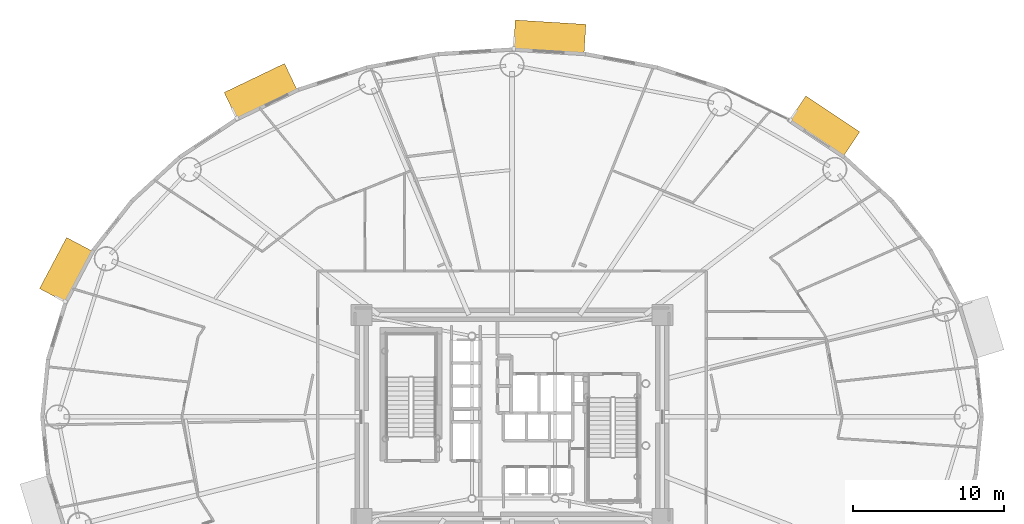
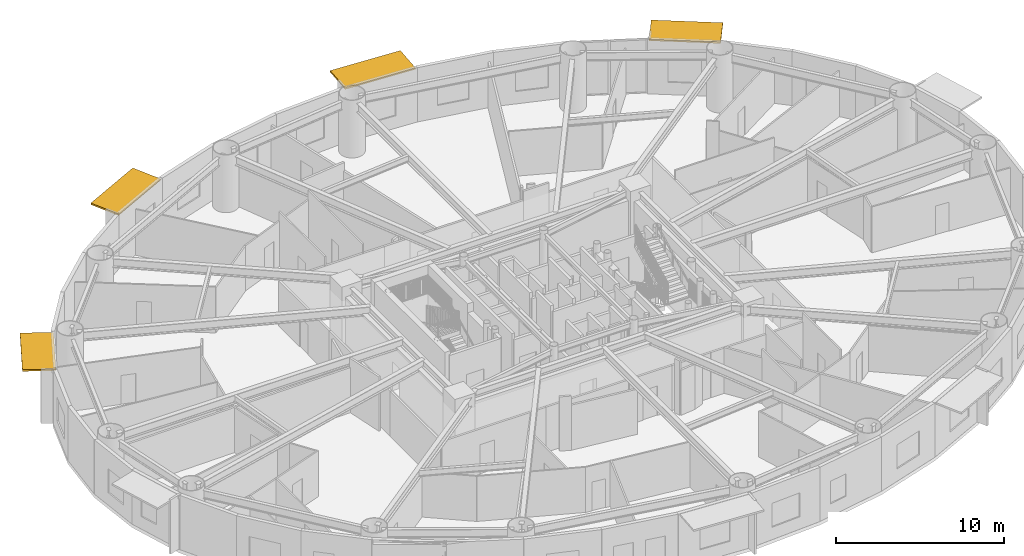
# One storey, part 21 of 21: 4 shading devices.
"""IFC4 building model written with IfcOpenShell, lengths in metres."""

import ifcopenshell
import ifcopenshell.guid

model = None  # the IFC model being written
_history = None  # IfcOwnerHistory: only IFC2X3 demands one
_inside = {}  # id of a spatial element -> (the spatial element, [elements in it])
_under = {}  # id of a project, library or spatial element -> (it, [spatial elements below it])
_declared = {}  # id of a project -> (the project, [libraries it declares])
_typed = {}  # id of a type object -> (the type object, [elements of that type])
_made_of = {}  # id of a material, layer set ... -> (it, [elements and type objects made of it])


def new_model(schema):
    """Start an empty IFC model of exactly this schema.

    Asked for "IFC4X3", IfcOpenShell would pick the latest addendum, in which some entities
    have other attributes; the version numbers below select the first issue.
    IFC2X3 requires an IfcOwnerHistory on every rooted entity: one is made here for all.
    """
    global model, _history
    if schema == "IFC4X3":
        model = ifcopenshell.file(schema_version=(4, 3, 0, 0))
    else:
        model = ifcopenshell.file(schema=schema)
    _inside.clear()
    _under.clear()
    _declared.clear()
    _typed.clear()
    _made_of.clear()
    _history = None
    if model.schema == "IFC2X3":
        org = make("IfcOrganization", Name="unknown")
        user = make(
            "IfcPersonAndOrganization",
            ThePerson=make("IfcPerson", FamilyName="unknown"),
            TheOrganization=org,
        )
        app = make(
            "IfcApplication",
            ApplicationDeveloper=org,
            Version="unknown",
            ApplicationFullName="unknown",
            ApplicationIdentifier="unknown",
        )
        _history = make(
            "IfcOwnerHistory",
            OwningUser=user,
            OwningApplication=app,
            ChangeAction="ADDED",
            CreationDate=0,
        )
    return model


def make(cls, **values):
    """One entity of the class cls with the attributes given. An attribute that is None is left unset."""
    return model.create_entity(
        cls, **{name: value for name, value in values.items() if value is not None}
    )


def rooted(cls, **values):
    """An entity with a GlobalId (a new one), such as an element, a storey or a relation."""
    return make(cls, GlobalId=ifcopenshell.guid.new(), OwnerHistory=_history, **values)


def si_unit(unit_type, name, prefix=None):
    """IfcSIUnit, for example si_unit("LENGTHUNIT", "METRE", prefix="MILLI")."""
    return make("IfcSIUnit", UnitType=unit_type, Prefix=prefix, Name=name)


def assignment(units):
    """IfcUnitAssignment: the units of a project."""
    return None if units is None else make("IfcUnitAssignment", Units=units)


def point(xyz):
    """IfcCartesianPoint."""
    return None if xyz is None else make("IfcCartesianPoint", Coordinates=xyz)


def direction(xyz):
    """IfcDirection."""
    return None if xyz is None else make("IfcDirection", DirectionRatios=xyz)


def frame(location, z_axis=None, x_axis=None):
    """IfcAxis2Placement3D, a coordinate frame: its origin and axes. An axis left out is left unset."""
    return make(
        "IfcAxis2Placement3D",
        Location=point(location),
        Axis=direction(z_axis),
        RefDirection=direction(x_axis),
    )


def frame_2d(location, x_axis=None):
    """IfcAxis2Placement2D, a coordinate frame in the plane: its origin and x axis."""
    return make(
        "IfcAxis2Placement2D", Location=point(location), RefDirection=direction(x_axis)
    )


def origin():
    """The frame at (0, 0, 0) with its axes left unset."""
    return frame((0.0, 0.0, 0.0))


def origin_2d():
    """The frame at (0, 0) in the plane with its x axis left unset."""
    return frame_2d((0.0, 0.0))


def place(relative_to, where):
    """IfcLocalPlacement: puts the frame where relative to a parent placement (None: the world)."""
    return make(
        "IfcLocalPlacement", PlacementRelTo=relative_to, RelativePlacement=where
    )


def context(
    kind, dimensions, precision=None, world=None, true_north=None, identifier=None
):
    """IfcGeometricRepresentationContext, for example the 3D "Model" context."""
    return make(
        "IfcGeometricRepresentationContext",
        ContextIdentifier=identifier,
        ContextType=kind,
        CoordinateSpaceDimension=dimensions,
        Precision=precision,
        WorldCoordinateSystem=world,
        TrueNorth=true_north,
    )


def subcontext(parent, identifier, kind, view, scale=None):
    """IfcGeometricRepresentationSubContext, for example "Body" below "Model"."""
    return make(
        "IfcGeometricRepresentationSubContext",
        ContextIdentifier=identifier,
        ContextType=kind,
        ParentContext=parent,
        TargetScale=scale,
        TargetView=view,
    )


def project(units=None, contexts=None):
    """IfcProject with its units and contexts."""
    return rooted(
        "IfcProject",
        Name="project",
        RepresentationContexts=contexts,
        UnitsInContext=assignment(units),
    )


def spatial(cls, under=None, at=None, **own):
    """A site, building, storey or space (cls), placed at a placement, below another one or the project."""
    s = rooted(cls, ObjectPlacement=at, **own)
    if under is not None:
        _under.setdefault(under.id(), (under, []))[1].append(s)
    return s


def profile(cls, at=None, kind="AREA", **sizes):
    """A parametric profile (cls). Its sizes go by their IFC names, for example OverallWidth=200.0."""
    return make(cls, ProfileType=kind, Position=at, **sizes)


def rectangle(**sizes):
    """IfcRectangleProfileDef."""
    return profile("IfcRectangleProfileDef", **sizes)


def extrude(swept, where, along, depth):
    """IfcExtrudedAreaSolid: the profile swept, set in the frame where, extruded along a direction by depth."""
    return make(
        "IfcExtrudedAreaSolid",
        SweptArea=swept,
        Position=where,
        ExtrudedDirection=direction(along),
        Depth=depth,
    )


def shape(context_of_items, identifier, shape_type, items):
    """IfcShapeRepresentation: the items that make up one representation, for example the "Body"."""
    return make(
        "IfcShapeRepresentation",
        ContextOfItems=context_of_items,
        RepresentationIdentifier=identifier,
        RepresentationType=shape_type,
        Items=items,
    )


def source(mapping_origin, context_of_items, identifier, shape_type, items):
    """IfcRepresentationMap: a shape defined once, which mapped items show again and again."""
    return make(
        "IfcRepresentationMap",
        MappingOrigin=mapping_origin,
        MappedRepresentation=shape(context_of_items, identifier, shape_type, items),
    )


def transform(
    local_origin,
    x_axis=None,
    y_axis=None,
    z_axis=None,
    scale=None,
    scale2=None,
    scale3=None,
    uniform=True,
):
    """IfcCartesianTransformationOperator3D, or its non-uniform kind. x_axis, y_axis, z_axis: its Axis1, 2, 3."""
    if uniform:
        return make(
            "IfcCartesianTransformationOperator3D",
            Axis1=direction(x_axis),
            Axis2=direction(y_axis),
            LocalOrigin=point(local_origin),
            Scale=scale,
            Axis3=direction(z_axis),
        )
    return make(
        "IfcCartesianTransformationOperator3DnonUniform",
        Axis1=direction(x_axis),
        Axis2=direction(y_axis),
        LocalOrigin=point(local_origin),
        Scale=scale,
        Axis3=direction(z_axis),
        Scale2=scale2,
        Scale3=scale3,
    )


def mapped(mapping_source, mapping_target):
    """IfcMappedItem: shows the shape of a source again, moved by a transform."""
    return make(
        "IfcMappedItem", MappingSource=mapping_source, MappingTarget=mapping_target
    )


def material(Name=None, Category=None):
    """IfcMaterial."""
    return make("IfcMaterial", Name=Name, Category=Category)


def layer(
    of_material, thickness, ventilated=None, Name=None, Category=None, Priority=None
):
    """IfcMaterialLayer: one layer of a wall or slab, of a material (None: an air gap)."""
    return make(
        "IfcMaterialLayer",
        Material=of_material,
        LayerThickness=thickness,
        IsVentilated=ventilated,
        Name=Name,
        Category=Category,
        Priority=Priority,
    )


def layer_set(layers, Name=None):
    """IfcMaterialLayerSet."""
    return make("IfcMaterialLayerSet", MaterialLayers=layers, LayerSetName=Name)


def made_of(thing, what):
    """Note that an element or type object is made of a material, layer set ...; save() writes the relation."""
    if what is not None:
        _made_of.setdefault(what.id(), (what, []))[1].append(thing)
    return thing


def type_object(cls, material=None, **own):
    """A type object (cls), such as IfcWallType, which elements share."""
    return made_of(rooted(cls, **own), material)


def element(
    cls,
    number,
    at=None,
    inside=None,
    cuts=None,
    type_object=None,
    material=None,
    context=None,
    identifier="Body",
    shape_type=None,
    held_by="IfcProductDefinitionShape",
    body=None,
    shapes=None,
    **own,
):
    """One element of the class cls, such as IfcWall. Its Tag is "e" and its number.

    at: its placement. inside: the storey or other place that contains it. cuts: it is an
    opening in that element (IfcRelVoidsElement). A single representation is given by context,
    identifier, shape_type and body (its items); several are given by shapes. held_by: the class
    of the entity that holds the representations. save() writes the other relations.
    """
    e = rooted(cls, Tag="e%d" % number, ObjectPlacement=at, **own)
    if body is not None:
        shapes = [shape(context, identifier, shape_type, body)]
    if shapes is not None:
        e.Representation = make(held_by, Representations=shapes)
    if inside is not None:
        _inside.setdefault(inside.id(), (inside, []))[1].append(e)
    if cuts is not None:
        rooted(
            "IfcRelVoidsElement", RelatingBuildingElement=cuts, RelatedOpeningElement=e
        )
    if type_object is not None:
        _typed.setdefault(type_object.id(), (type_object, []))[1].append(e)
    return made_of(e, material)


def aggregate(whole, parts):
    """IfcRelAggregates: a whole, such as a stair, and the parts it consists of."""
    return rooted("IfcRelAggregates", RelatingObject=whole, RelatedObjects=parts)


def save(model, path):
    """Write the relations noted so far, then the file.

    IfcRelAggregates (storeys below a building ...), IfcRelContainedInSpatialStructure (elements
    in a storey), IfcRelDefinesByType, IfcRelAssociatesMaterial and IfcRelDeclares: one each for
    every whole, place, type object, material and project.
    """
    for whole, parts in _under.values():
        aggregate(whole, parts)
    for where, things in _inside.values():
        rooted(
            "IfcRelContainedInSpatialStructure",
            RelatedElements=things,
            RelatingStructure=where,
        )
    for kind, things in _typed.values():
        rooted("IfcRelDefinesByType", RelatedObjects=things, RelatingType=kind)
    for what, things in _made_of.values():
        rooted("IfcRelAssociatesMaterial", RelatedObjects=things, RelatingMaterial=what)
    for by, libraries in _declared.values():
        rooted("IfcRelDeclares", RelatingContext=by, RelatedDefinitions=libraries)
    model.write(path)


model = new_model("IFC4")

# Units and contexts
model_context = context("Model", 3, precision=1e-05, world=origin(), true_north=direction((0.0, 1.0)))
body_context = subcontext(model_context, "Body", "Model", "MODEL_VIEW")
ifc_project = project(units=[si_unit("LENGTHUNIT", "METRE"), si_unit("AREAUNIT", "SQUARE_METRE"), si_unit("VOLUMEUNIT", "CUBIC_METRE"), si_unit("PLANEANGLEUNIT", "RADIAN"), si_unit("MASSUNIT", "GRAM", prefix="KILO")], contexts=[model_context])

# Site, building, storey
site_placement = place(None, origin())
site = spatial("IfcSite", under=ifc_project, at=site_placement, CompositionType="ELEMENT")
building_placement = place(site_placement, origin())
building = spatial("IfcBuilding", under=site, at=building_placement, Name="Linh Dai School and Residence Tower", CompositionType="ELEMENT")
storey_placement = place(building_placement, frame((0.0, 0.0, 78.60009765625)))
storey = spatial("IfcBuildingStorey", under=building, at=storey_placement, Name="L18", CompositionType="ELEMENT", Elevation=78.60009765625)

# Shading devices
ifc_material = material(Name="Terracotta Ceramic Sunshade", Category="masonry")
ifc_layer = layer(ifc_material, 0.1201171875)
ifc_layer_set = layer_set([ifc_layer], Name="Terracotta Ceramic Sunshade")
shading_device_type = type_object("IfcShadingDeviceType", Name="SHD-TC-2000", PredefinedType="USERDEFINED", material=ifc_layer_set)
shared_shape_1 = source(origin(), body_context, "Body", "SweptSolid", [
    extrude(rectangle(XDim=4.28173828125, YDim=2.0, at=origin_2d()), origin(), (0.0, 0.0, 1.0), 0.1201171875),
])
shading_device_1_placement = place(storey_placement, frame((56.66455078125, 46.2138671875, 3.809814453125), z_axis=(0.0, 0.0, 1.0), x_axis=(0.831250578927, -0.555897899828, 0.0)))
element("IfcShadingDevice", 1, at=shading_device_1_placement, inside=storey, type_object=shading_device_type, Name="L18 Terracotta Horizontal Sunshade Band 06", ObjectType="SUNSHADE", PredefinedType="USERDEFINED", context=body_context, shape_type="MappedRepresentation", body=[
    mapped(shared_shape_1, transform((0.0, 0.0, 0.0), x_axis=(1.0, 0.0, 0.0), y_axis=(0.0, 1.0, 0.0), z_axis=(0.0, 0.0, 1.0), scale=1.0)),
])
shared_shape_2 = source(origin(), body_context, "Body", "SweptSolid", [
    extrude(rectangle(XDim=4.6796875, YDim=2.0, at=origin_2d()), origin(), (0.0, 0.0, 1.0), 0.1201171875),
])
shading_device_2_placement = place(storey_placement, frame((38.49169921875, 52.11328125, 3.809814453125), z_axis=(0.0, 0.0, 1.0), x_axis=(0.998106677027, -0.061506595367, 0.0)))
element("IfcShadingDevice", 2, at=shading_device_2_placement, inside=storey, type_object=shading_device_type, Name="L18 Terracotta Horizontal Sunshade Band 10", ObjectType="SUNSHADE", PredefinedType="USERDEFINED", context=body_context, shape_type="MappedRepresentation", body=[
    mapped(shared_shape_2, transform((0.0, 0.0, 0.0), x_axis=(1.0, 0.0, 0.0), y_axis=(0.0, 1.0, 0.0), z_axis=(0.0, 0.0, 1.0), scale=1.0)),
])
shared_shape_3 = source(origin(), body_context, "Body", "SweptSolid", [
    extrude(rectangle(XDim=4.428466796875, YDim=2.0, at=origin_2d()), origin(), (0.0, 0.0, 1.0), 0.1201171875),
])
shading_device_3_placement = place(storey_placement, frame((19.386962890625, 48.51904296875, 3.809814453125), z_axis=(0.0, 0.0, 1.0), x_axis=(0.901584514626, 0.432603008528, 0.0)))
element("IfcShadingDevice", 3, at=shading_device_3_placement, inside=storey, type_object=shading_device_type, Name="L18 Terracotta Horizontal Sunshade Band 14", ObjectType="SUNSHADE", PredefinedType="USERDEFINED", context=body_context, shape_type="MappedRepresentation", body=[
    mapped(shared_shape_3, transform((0.0, 0.0, 0.0), x_axis=(1.0, 0.0, 0.0), y_axis=(0.0, 1.0, 0.0), z_axis=(0.0, 0.0, 1.0), scale=1.0)),
])
shared_shape_4 = source(origin(), body_context, "Body", "SweptSolid", [
    extrude(rectangle(XDim=3.824462890625, YDim=2.0, at=origin_2d()), origin(), (0.0, 0.0, 1.0), 0.1201171875),
])
shading_device_4_placement = place(storey_placement, frame((6.525390625, 36.7109375, 3.809814453125), z_axis=(0.0, 0.0, 1.0), x_axis=(0.467611940042, 0.883933862645, 0.0)))
element("IfcShadingDevice", 4, at=shading_device_4_placement, inside=storey, type_object=shading_device_type, Name="L18 Terracotta Horizontal Sunshade Band 18", ObjectType="SUNSHADE", PredefinedType="USERDEFINED", context=body_context, shape_type="MappedRepresentation", body=[
    mapped(shared_shape_4, transform((0.0, 0.0, 0.0), x_axis=(1.0, 0.0, 0.0), y_axis=(0.0, 1.0, 0.0), z_axis=(0.0, 0.0, 1.0), scale=1.0)),
])

save(model, "model.ifc")
